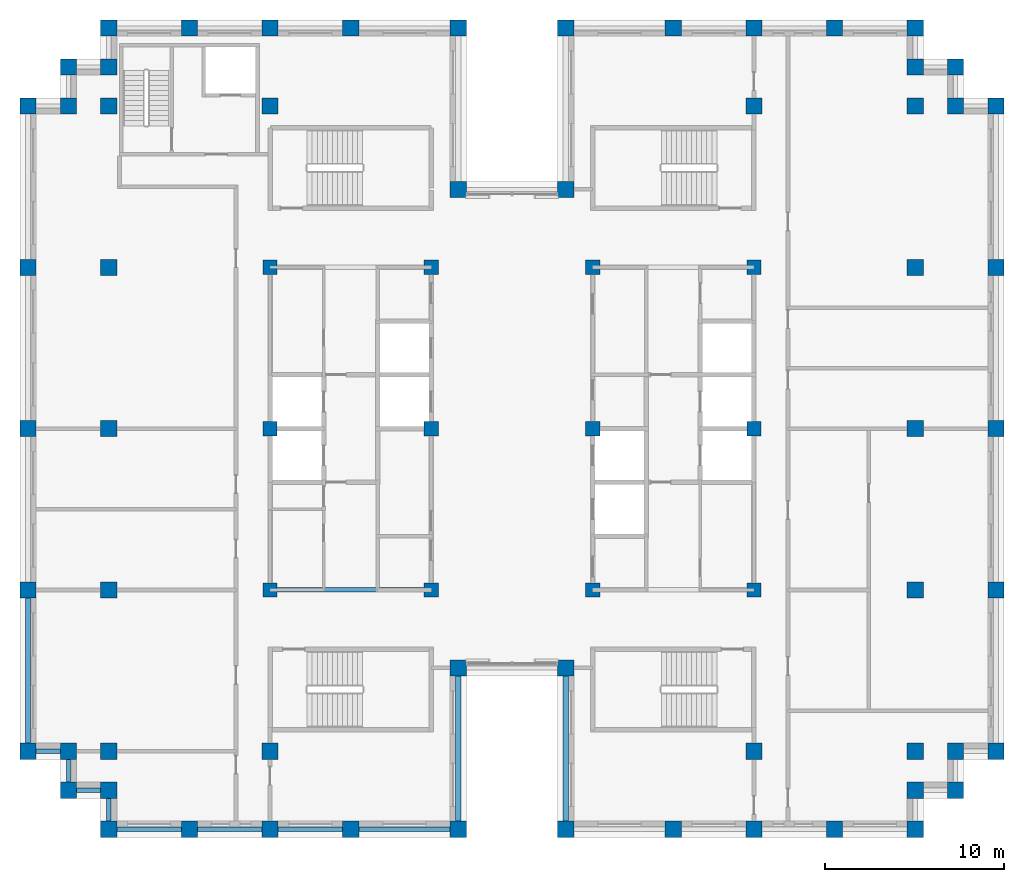
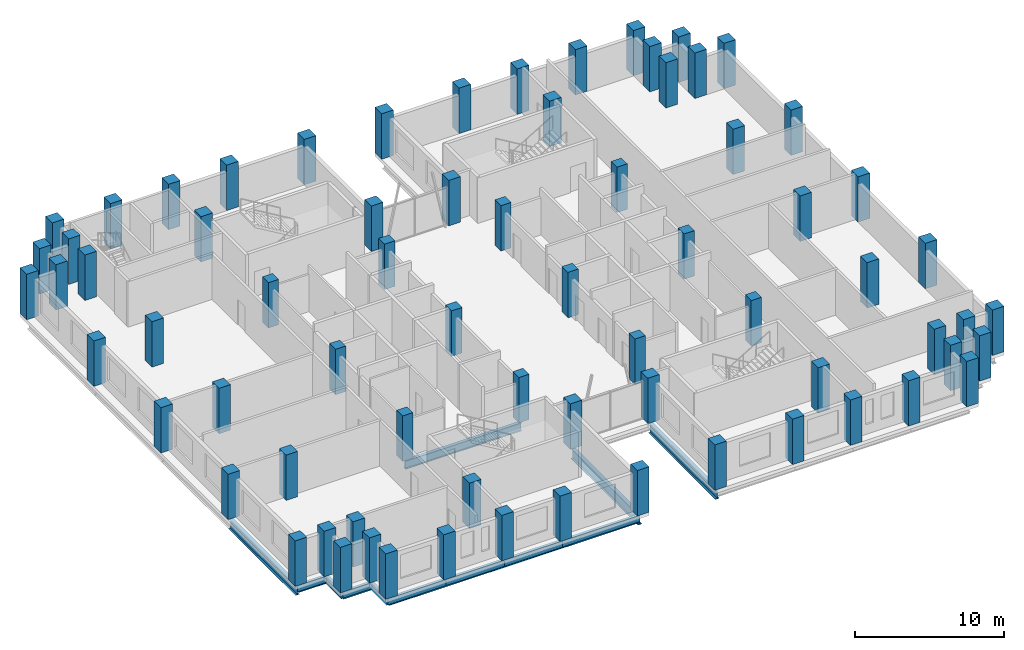
# One storey, part 1 of 13: 72 columns, 12 beams.
"""IFC4 building model written with IfcOpenShell, lengths in metres."""

from ifc_helpers import new_model, si_unit, direction, frame, origin, origin_2d, place, context, subcontext, project, spatial, rectangle, i_section, extrude, material, material_profile, profile_set, type_object, element, save


model = new_model("IFC4")

# Units and contexts
model_context = context("Model", 3, precision=1e-05, world=origin(), true_north=direction((0.0, 1.0)))
body_context = subcontext(model_context, "Body", "Model", "MODEL_VIEW")
ifc_project = project(units=[si_unit("LENGTHUNIT", "METRE"), si_unit("AREAUNIT", "SQUARE_METRE"), si_unit("VOLUMEUNIT", "CUBIC_METRE"), si_unit("PLANEANGLEUNIT", "RADIAN"), si_unit("MASSUNIT", "GRAM", prefix="KILO")], contexts=[model_context])

# Site, building, storey
site_placement = place(None, origin())
site = spatial("IfcSite", under=ifc_project, at=site_placement, CompositionType="ELEMENT")
building_placement = place(site_placement, origin())
building = spatial("IfcBuilding", under=site, at=building_placement, Name="Corbelhall Arena Tower", CompositionType="ELEMENT")
storey_placement = place(building_placement, frame((0.0, 0.0, 286.0)))
storey = spatial("IfcBuildingStorey", under=building, at=storey_placement, Name="L62", CompositionType="ELEMENT", Elevation=286.0)

# Columns
ifc_material_1 = material(Name="Concrete C80/95", Category="concrete")
ifc_material_profile_1 = material_profile(ifc_material_1, rectangle(XDim=0.800048828125, YDim=0.800048828125, at=origin_2d()))
ifc_profile_set_1 = profile_set([ifc_material_profile_1], Name="Concrete C80/95")
column_type_1 = type_object("IfcColumnType", Name="ST-COL-RC 800x800", PredefinedType="COLUMN", material=ifc_profile_set_1)
for number, where, z_axis, x_axis, name in (
    (1, (4.5, 0.0, 0.0), (0.0, 0.0, 1.0), (1.0, 0.0, 0.0), "Column KE+0450+0000"),
    (2, (4.5, 9.0, 0.0), (0.0, 0.0, 1.0), (1.0, 0.0, 0.0), "Column KE+0450+0900"),
    (3, (4.5, -9.0, 0.0), (0.0, 0.0, 1.0), (1.0, 0.0, 0.0), "Column KE+0450-0900"),
    (4, (13.5, 0.0, 0.0), (0.0, 0.0, 1.0), (1.0, 0.0, 0.0), "Column KE+1350+0000"),
    (5, (13.5, 9.0, 0.0), (0.0, 0.0, 1.0), (1.0, 0.0, 0.0), "Column KE+1350+0900"),
    (6, (13.5, -9.0, 0.0), (0.0, 0.0, 1.0), (1.0, 0.0, 0.0), "Column KE+1350-0900"),
    (7, (-4.5, 0.0, 0.0), (0.0, 0.0, 1.0), (1.0, 0.0, 0.0), "Column KW-0450+0000"),
    (8, (-4.5, 9.0, 0.0), (0.0, 0.0, 1.0), (1.0, 0.0, 0.0), "Column KW-0450+0900"),
    (9, (-4.5, -9.0, 0.0), (0.0, 0.0, 1.0), (1.0, 0.0, 0.0), "Column KW-0450-0900"),
    (10, (-13.5, 0.0, 0.0), (0.0, 0.0, 1.0), (1.0, 0.0, 0.0), "Column KW-1350+0000"),
    (11, (-13.5, 9.0, 0.0), (0.0, 0.0, 1.0), (1.0, 0.0, 0.0), "Column KW-1350+0900"),
    (12, (-13.5, -9.0, 0.0), (0.0, 0.0, 1.0), (1.0, 0.0, 0.0), "Column KW-1350-0900"),
):
    element("IfcColumn", number, at=place(storey_placement, frame(where, z_axis=z_axis, x_axis=x_axis)), inside=storey, type_object=column_type_1, Name=name, PredefinedType="COLUMN", context=body_context, shape_type="SweptSolid", body=[
        extrude(rectangle(XDim=0.800048828125, YDim=0.800048828125, at=origin_2d()), origin(), (0.0, 0.0, 1.0), 3.719970703125),
    ])
ifc_material_profile_2 = material_profile(ifc_material_1, rectangle(XDim=0.89990234375, YDim=0.89990234375, at=origin_2d()))
ifc_profile_set_2 = profile_set([ifc_material_profile_2], Name="Concrete C80/95")
column_type_2 = type_object("IfcColumnType", Name="ST-COL-RC 900x900", PredefinedType="COLUMN", material=ifc_profile_set_2)
for number, where, z_axis, x_axis, name in (
    (13, (13.5, 18.0, 0.0), (0.0, 0.0, 1.0), (1.0, 0.0, 0.0), "Column IE13+1800"),
    (14, (13.5, -18.0, 0.0), (0.0, 0.0, 1.0), (1.0, 0.0, 0.0), "Column IE13-1800"),
    (15, (22.5, 0.0, 0.0), (0.0, 0.0, 1.0), (1.0, 0.0, 0.0), "Column IE22+0000"),
    (16, (22.5, 9.0, 0.0), (0.0, 0.0, 1.0), (1.0, 0.0, 0.0), "Column IE22+0900"),
    (17, (22.5, 18.0, 0.0), (0.0, 0.0, 1.0), (1.0, 0.0, 0.0), "Column IE22+1800"),
    (18, (22.5, -9.0, 0.0), (0.0, 0.0, 1.0), (1.0, 0.0, 0.0), "Column IE22-0900"),
    (19, (22.5, -18.0, 0.0), (0.0, 0.0, 1.0), (1.0, 0.0, 0.0), "Column IE22-1800"),
    (20, (-13.5, 18.0, 0.0), (0.0, 0.0, 1.0), (1.0, 0.0, 0.0), "Column IW13+1800"),
    (21, (-13.5, -18.0, 0.0), (0.0, 0.0, 1.0), (1.0, 0.0, 0.0), "Column IW13-1800"),
    (22, (-22.5, 0.0, 0.0), (0.0, 0.0, 1.0), (1.0, 0.0, 0.0), "Column IW22+0000"),
    (23, (-22.5, 9.0, 0.0), (0.0, 0.0, 1.0), (1.0, 0.0, 0.0), "Column IW22+0900"),
    (24, (-22.5, 18.0, 0.0), (0.0, 0.0, 1.0), (1.0, 0.0, 0.0), "Column IW22+1800"),
    (25, (-22.5, -9.0, 0.0), (0.0, 0.0, 1.0), (1.0, 0.0, 0.0), "Column IW22-0900"),
    (26, (-22.5, -18.0, 0.0), (0.0, 0.0, 1.0), (1.0, 0.0, 0.0), "Column IW22-1800"),
    (27, (27.0, 0.0, 0.0), (0.0, 0.0, 1.0), (0.0, 1.0, 0.0), "Column PE+0000"),
    (28, (27.0, 9.0, 0.0), (0.0, 0.0, 1.0), (0.0, 1.0, 0.0), "Column PE+0900"),
    (29, (27.0, 18.0, 0.0), (0.0, 0.0, 1.0), (0.0, 1.0, 0.0), "Column PE+1800"),
    (30, (27.0, -9.0, 0.0), (0.0, 0.0, 1.0), (0.0, 1.0, 0.0), "Column PE-0900"),
    (31, (27.0, -18.0, 0.0), (0.0, 0.0, 1.0), (0.0, 1.0, 0.0), "Column PE-1800"),
    (32, (3.0, 22.35009765625, 0.0), (0.0, 0.0, 1.0), (1.0, 0.0, 0.0), "Column PNE0300"),
    (33, (9.0, 22.35009765625, 0.0), (0.0, 0.0, 1.0), (1.0, 0.0, 0.0), "Column PNE0900"),
    (34, (13.5, 22.35009765625, 0.0), (0.0, 0.0, 1.0), (1.0, 0.0, 0.0), "Column PNE1350"),
    (35, (18.0, 22.35009765625, 0.0), (0.0, 0.0, 1.0), (1.0, 0.0, 0.0), "Column PNE1800"),
    (36, (22.5, 22.35009765625, 0.0), (0.0, 0.0, 1.0), (1.0, 0.0, 0.0), "Column PNE2250"),
    (37, (-3.0, 22.35009765625, 0.0), (0.0, 0.0, 1.0), (1.0, 0.0, 0.0), "Column PNW0300"),
    (38, (-9.0, 22.35009765625, 0.0), (0.0, 0.0, 1.0), (1.0, 0.0, 0.0), "Column PNW0900"),
    (39, (-13.5, 22.35009765625, 0.0), (0.0, 0.0, 1.0), (1.0, 0.0, 0.0), "Column PNW1350"),
    (40, (-18.0, 22.35009765625, 0.0), (0.0, 0.0, 1.0), (1.0, 0.0, 0.0), "Column PNW1800"),
    (41, (-22.5, 22.35009765625, 0.0), (0.0, 0.0, 1.0), (1.0, 0.0, 0.0), "Column PNW2250"),
    (42, (3.0, -22.35009765625, 0.0), (0.0, 0.0, 1.0), (1.0, 0.0, 0.0), "Column PSE0300"),
    (43, (9.0, -22.35009765625, 0.0), (0.0, 0.0, 1.0), (1.0, 0.0, 0.0), "Column PSE0900"),
    (44, (13.5, -22.35009765625, 0.0), (0.0, 0.0, 1.0), (1.0, 0.0, 0.0), "Column PSE1350"),
    (45, (18.0, -22.35009765625, 0.0), (0.0, 0.0, 1.0), (1.0, 0.0, 0.0), "Column PSE1800"),
    (46, (22.5, -22.35009765625, 0.0), (0.0, 0.0, 1.0), (1.0, 0.0, 0.0), "Column PSE2250"),
    (47, (-3.0, -22.35009765625, 0.0), (0.0, 0.0, 1.0), (1.0, 0.0, 0.0), "Column PSW0300"),
    (48, (-9.0, -22.35009765625, 0.0), (0.0, 0.0, 1.0), (1.0, 0.0, 0.0), "Column PSW0900"),
    (49, (-13.5, -22.35009765625, 0.0), (0.0, 0.0, 1.0), (1.0, 0.0, 0.0), "Column PSW1350"),
    (50, (-18.0, -22.35009765625, 0.0), (0.0, 0.0, 1.0), (1.0, 0.0, 0.0), "Column PSW1800"),
    (51, (-22.5, -22.35009765625, 0.0), (0.0, 0.0, 1.0), (1.0, 0.0, 0.0), "Column PSW2250"),
    (52, (-27.0, 0.0, 0.0), (0.0, 0.0, 1.0), (0.0, 1.0, 0.0), "Column PW+0000"),
    (53, (-27.0, 9.0, 0.0), (0.0, 0.0, 1.0), (0.0, 1.0, 0.0), "Column PW+0900"),
    (54, (-27.0, 18.0, 0.0), (0.0, 0.0, 1.0), (0.0, 1.0, 0.0), "Column PW+1800"),
    (55, (-27.0, -9.0, 0.0), (0.0, 0.0, 1.0), (0.0, 1.0, 0.0), "Column PW-0900"),
    (56, (-27.0, -18.0, 0.0), (0.0, 0.0, 1.0), (0.0, 1.0, 0.0), "Column PW-1800"),
    (57, (3.0, 13.35009765625, 0.0), (0.0, 0.0, 1.0), (1.0, 0.0, 0.0), "Column SLNE2"),
    (58, (-3.0, 13.35009765625, 0.0), (0.0, 0.0, 1.0), (1.0, 0.0, 0.0), "Column SLNW2"),
    (59, (3.0, -13.35009765625, 0.0), (0.0, 0.0, 1.0), (1.0, 0.0, 0.0), "Column SLSE2"),
    (60, (-3.0, -13.35009765625, 0.0), (0.0, 0.0, 1.0), (1.0, 0.0, 0.0), "Column SLSW2"),
    (61, (22.5, 20.175048828125, 0.0), (0.0, 0.0, 1.0), (1.0, 0.0, 0.0), "Column XNE1"),
    (62, (24.75, 20.175048828125, 0.0), (0.0, 0.0, 1.0), (1.0, 0.0, 0.0), "Column XNE2"),
    (63, (24.75, 18.0, 0.0), (0.0, 0.0, 1.0), (1.0, 0.0, 0.0), "Column XNE3"),
    (64, (-22.5, 20.175048828125, 0.0), (0.0, 0.0, 1.0), (1.0, 0.0, 0.0), "Column XNW1"),
    (65, (-24.75, 20.175048828125, 0.0), (0.0, 0.0, 1.0), (1.0, 0.0, 0.0), "Column XNW2"),
    (66, (-24.75, 18.0, 0.0), (0.0, 0.0, 1.0), (1.0, 0.0, 0.0), "Column XNW3"),
    (67, (22.5, -20.175048828125, 0.0), (0.0, 0.0, 1.0), (1.0, 0.0, 0.0), "Column XSE1"),
    (68, (24.75, -20.175048828125, 0.0), (0.0, 0.0, 1.0), (1.0, 0.0, 0.0), "Column XSE2"),
    (69, (24.75, -18.0, 0.0), (0.0, 0.0, 1.0), (1.0, 0.0, 0.0), "Column XSE3"),
    (70, (-22.5, -20.175048828125, 0.0), (0.0, 0.0, 1.0), (1.0, 0.0, 0.0), "Column XSW1"),
    (71, (-24.75, -20.175048828125, 0.0), (0.0, 0.0, 1.0), (1.0, 0.0, 0.0), "Column XSW2"),
    (72, (-24.75, -18.0, 0.0), (0.0, 0.0, 1.0), (1.0, 0.0, 0.0), "Column XSW3"),
):
    element("IfcColumn", number, at=place(storey_placement, frame(where, z_axis=z_axis, x_axis=x_axis)), inside=storey, type_object=column_type_2, Name=name, PredefinedType="COLUMN", context=body_context, shape_type="SweptSolid", body=[
        extrude(rectangle(XDim=0.89990234375, YDim=0.89990234375, at=origin_2d()), origin(), (0.0, 0.0, 1.0), 3.719970703125),
    ])

# Beams
ifc_material_2 = material(Name="Steel ASTM A992 Gr50", Category="steel")
ifc_material_profile_3 = material_profile(ifc_material_2, i_section(OverallWidth=0.25390625, OverallDepth=0.67822265625, WebThickness=0.01171875, FlangeThickness=0.016357421875, at=origin_2d()))
ifc_profile_set_3 = profile_set([ifc_material_profile_3], Name="Steel ASTM A992 Gr50")
beam_type_1 = type_object("IfcBeamType", Name="ST-BEAM-W27x84", PredefinedType="BEAM", material=ifc_profile_set_3)
beam_1_placement = place(storey_placement, frame((-13.5, -9.0, -0.619140625), z_axis=(1.0, 0.0, 0.0), x_axis=(0.0, 1.0, 0.0)))
element("IfcBeam", 73, at=beam_1_placement, inside=storey, type_object=beam_type_1, Name="Beam CEW 5", PredefinedType="BEAM", context=body_context, shape_type="SweptSolid", body=[
    extrude(i_section(OverallWidth=0.25390625, OverallDepth=0.67822265625, WebThickness=0.01171875, FlangeThickness=0.016357421875, at=origin_2d()), origin(), (0.0, 0.0, 1.0), 9.0),
])
ifc_material_profile_4 = material_profile(ifc_material_2, i_section(OverallWidth=0.227783203125, OverallDepth=0.60205078125, WebThickness=0.010498046875, FlangeThickness=0.014892578125, at=origin_2d()))
ifc_profile_set_4 = profile_set([ifc_material_profile_4], Name="Steel ASTM A992 Gr50")
beam_type_2 = type_object("IfcBeamType", Name="ST-SPANDREL-W24x68", PredefinedType="SPANDREL", material=ifc_profile_set_4)
beam_2_placement = place(storey_placement, frame((-3.0, -22.35009765625, -0.5810546875), z_axis=(-1.0, 0.0, 0.0), x_axis=(0.0, -1.0, 0.0)))
element("IfcBeam", 74, at=beam_2_placement, inside=storey, type_object=beam_type_2, Name="Beam SP 21", PredefinedType="SPANDREL", context=body_context, shape_type="SweptSolid", body=[
    extrude(i_section(OverallWidth=0.227783203125, OverallDepth=0.60205078125, WebThickness=0.010498046875, FlangeThickness=0.014892578125, at=origin_2d()), origin(), (0.0, 0.0, 1.0), 6.0),
])
for number, where, z_axis, x_axis, name in (
    (75, (-9.0, -22.35009765625, -0.5810546875), (-1.0, 0.0, 0.0), (0.0, -1.0, 0.0), "Beam SP 22"),
    (76, (-13.5, -22.35009765625, -0.5810546875), (-1.0, 0.0, 0.0), (0.0, -1.0, 0.0), "Beam SP 23"),
    (77, (-18.0, -22.35009765625, -0.5810546875), (-1.0, 0.0, 0.0), (0.0, -1.0, 0.0), "Beam SP 24"),
):
    element("IfcBeam", number, at=place(storey_placement, frame(where, z_axis=z_axis, x_axis=x_axis)), inside=storey, type_object=beam_type_2, Name=name, PredefinedType="SPANDREL", context=body_context, shape_type="SweptSolid", body=[
        extrude(i_section(OverallWidth=0.227783203125, OverallDepth=0.60205078125, WebThickness=0.010498046875, FlangeThickness=0.014892578125, at=origin_2d()), origin(), (0.0, 0.0, 1.0), 4.5),
    ])
beam_3_placement = place(storey_placement, frame((-22.5, -22.35009765625, -0.5810546875), z_axis=(0.0, 1.0, 0.0), x_axis=(-1.0, 0.0, 0.0)))
element("IfcBeam", 78, at=beam_3_placement, inside=storey, type_object=beam_type_2, Name="Beam SP 25", PredefinedType="SPANDREL", context=body_context, shape_type="SweptSolid", body=[
    extrude(i_section(OverallWidth=0.227783203125, OverallDepth=0.60205078125, WebThickness=0.010498046875, FlangeThickness=0.014892578125, at=origin_2d()), origin(), (0.0, 0.0, 1.0), 2.175048828125),
])
beam_4_placement = place(storey_placement, frame((-22.5, -20.175048828125, -0.5810546875), z_axis=(-1.0, 0.0, 0.0), x_axis=(0.0, -1.0, 0.0)))
element("IfcBeam", 79, at=beam_4_placement, inside=storey, type_object=beam_type_2, Name="Beam SP 44", PredefinedType="SPANDREL", context=body_context, shape_type="SweptSolid", body=[
    extrude(i_section(OverallWidth=0.227783203125, OverallDepth=0.60205078125, WebThickness=0.010498046875, FlangeThickness=0.014892578125, at=origin_2d()), origin(), (0.0, 0.0, 1.0), 2.25),
])
beam_5_placement = place(storey_placement, frame((-24.75, -20.175048828125, -0.5810546875), z_axis=(0.0, 1.0, 0.0), x_axis=(-1.0, 0.0, 0.0)))
element("IfcBeam", 80, at=beam_5_placement, inside=storey, type_object=beam_type_2, Name="Beam SP 45", PredefinedType="SPANDREL", context=body_context, shape_type="SweptSolid", body=[
    extrude(i_section(OverallWidth=0.227783203125, OverallDepth=0.60205078125, WebThickness=0.010498046875, FlangeThickness=0.014892578125, at=origin_2d()), origin(), (0.0, 0.0, 1.0), 2.175048828125),
])
beam_6_placement = place(storey_placement, frame((-24.75, -18.0, -0.5810546875), z_axis=(-1.0, 0.0, 0.0), x_axis=(0.0, -1.0, 0.0)))
element("IfcBeam", 81, at=beam_6_placement, inside=storey, type_object=beam_type_2, Name="Beam SP 46", PredefinedType="SPANDREL", context=body_context, shape_type="SweptSolid", body=[
    extrude(i_section(OverallWidth=0.227783203125, OverallDepth=0.60205078125, WebThickness=0.010498046875, FlangeThickness=0.014892578125, at=origin_2d()), origin(), (0.0, 0.0, 1.0), 2.25),
])
ifc_material_profile_5 = material_profile(ifc_material_2, i_section(OverallWidth=0.2919921875, OverallDepth=0.845703125, WebThickness=0.015380859375, FlangeThickness=0.0244140625, at=origin_2d()))
ifc_profile_set_5 = profile_set([ifc_material_profile_5], Name="Steel ASTM A992 Gr50")
beam_type_3 = type_object("IfcBeamType", Name="ST-SPANDREL-W33x141", PredefinedType="SPANDREL", material=ifc_profile_set_5)
for number, where, z_axis, x_axis, name in (
    (82, (3.0, -22.35009765625, -0.702880859375), (0.0, 1.0, 0.0), (-1.0, 0.0, 0.0), "Beam SP 16"),
    (83, (-27.0, -18.0, -0.702880859375), (0.0, 1.0, 0.0), (-1.0, 0.0, 0.0), "Beam SP 30"),
    (84, (-3.0, -13.35009765625, -0.702880859375), (0.0, -1.0, 0.0), (1.0, 0.0, 0.0), "Beam SP 34"),
):
    element("IfcBeam", number, at=place(storey_placement, frame(where, z_axis=z_axis, x_axis=x_axis)), inside=storey, type_object=beam_type_3, Name=name, PredefinedType="SPANDREL", context=body_context, shape_type="SweptSolid", body=[
        extrude(i_section(OverallWidth=0.2919921875, OverallDepth=0.845703125, WebThickness=0.015380859375, FlangeThickness=0.0244140625, at=origin_2d()), origin(), (0.0, 0.0, 1.0), 9.0),
    ])

save(model, "model.ifc")
